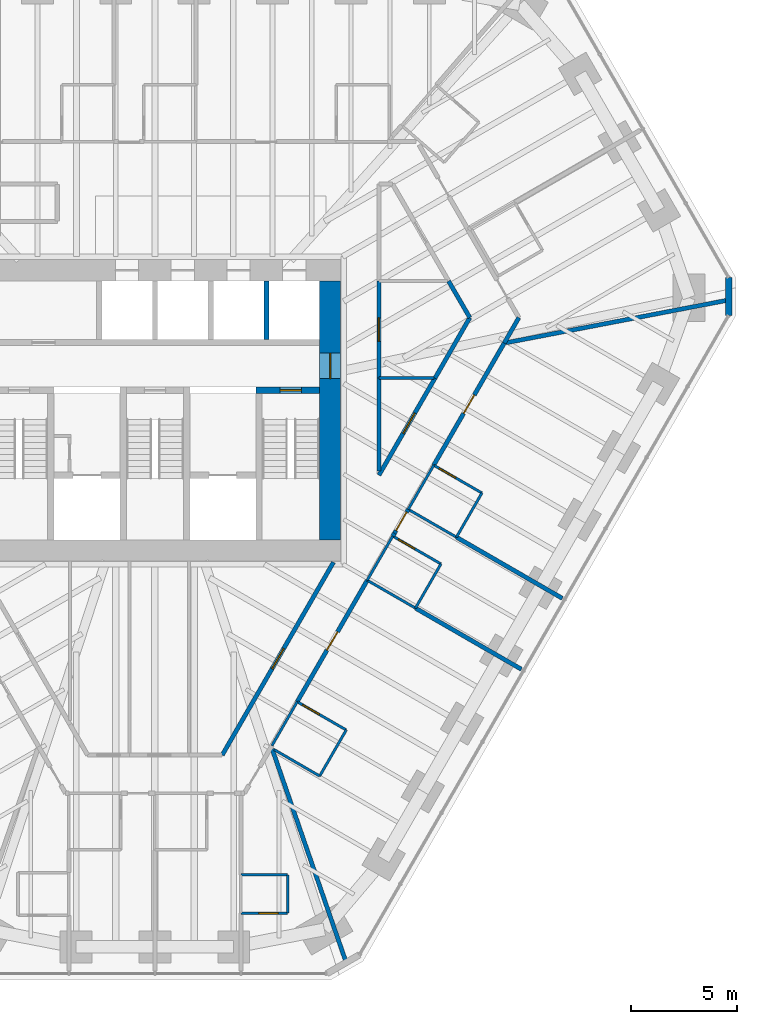
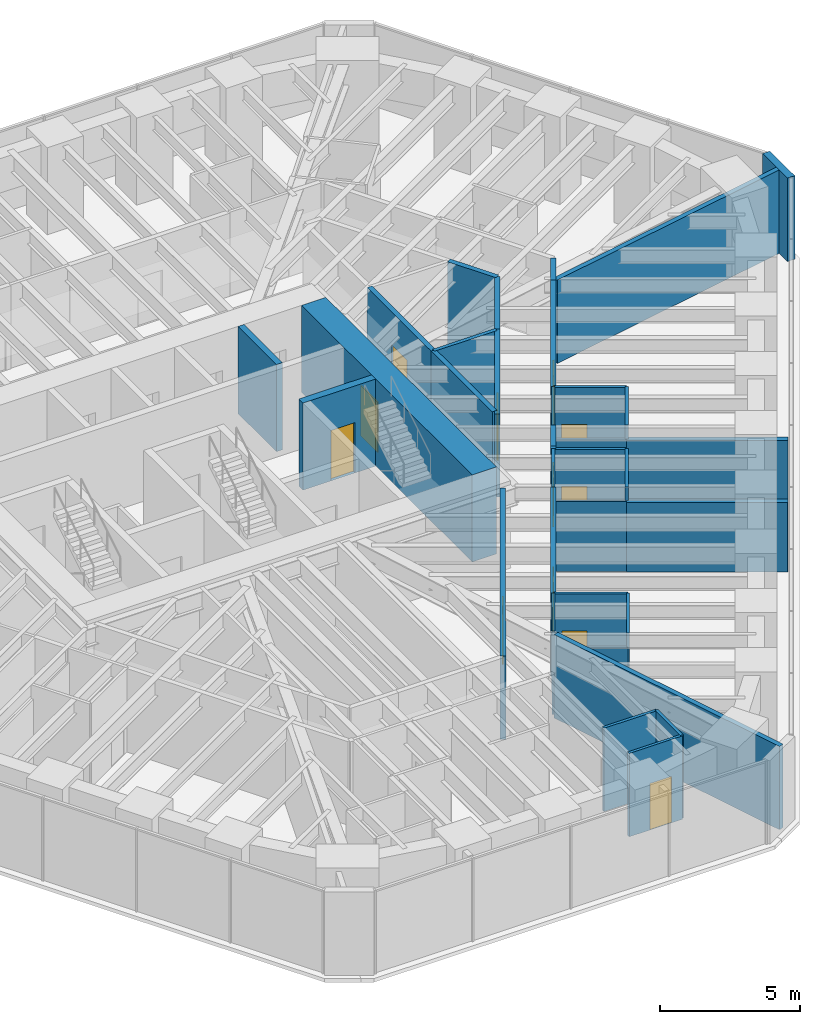
# One storey, part 13 of 16: 35 walls, 12 doors, 12 openings.
"""IFC4 building model written with IfcOpenShell, lengths in metres."""

from ifc_helpers import new_model, si_unit, direction, frame, frame_2d, origin, place, context, subcontext, project, spatial, rectangle, extrude, material, layer, layer_set, type_object, element, fill, save


model = new_model("IFC4")

# Units and contexts
model_context = context("Model", 3, precision=1e-05, world=origin(), true_north=direction((0.0, 1.0)))
body_context = subcontext(model_context, "Body", "Model", "MODEL_VIEW")
ifc_project = project(units=[si_unit("LENGTHUNIT", "METRE"), si_unit("AREAUNIT", "SQUARE_METRE"), si_unit("VOLUMEUNIT", "CUBIC_METRE"), si_unit("PLANEANGLEUNIT", "RADIAN"), si_unit("MASSUNIT", "GRAM", prefix="KILO")], contexts=[model_context])

# Site, building, storey
site_placement = place(None, origin())
site = spatial("IfcSite", under=ifc_project, at=site_placement, CompositionType="ELEMENT")
building_placement = place(site_placement, origin())
building = spatial("IfcBuilding", under=site, at=building_placement, Name="Sandreach Pilgrim Tower", CompositionType="ELEMENT")
storey_placement = place(building_placement, frame((0.0, 0.0, 187.0)))
storey = spatial("IfcBuildingStorey", under=building, at=storey_placement, Name="L46", CompositionType="ELEMENT", Elevation=187.0)

# Wall
ifc_material_1 = material(Name="Gypsum board on steel studs", Category="steel")
ifc_layer_1 = layer(ifc_material_1, 0.14990234375)
ifc_layer_set_1 = layer_set([ifc_layer_1], Name="Back of house wall 150")
wall_type_1 = type_object("IfcWallType", Name="Back of house wall 150", PredefinedType="PARTITIONING", material=ifc_layer_set_1)
wall_1_placement = place(storey_placement, frame((10.550048828125, 1.52001953125, 0.0), z_axis=(0.0, 0.0, 1.0), x_axis=(1.0, 0.0, 0.0)))
element("IfcWall", 1, at=wall_1_placement, inside=storey, type_object=wall_type_1, Name="Back of house wall L46-108", PredefinedType="PARTITIONING", context=body_context, shape_type="SweptSolid", body=[
    extrude(rectangle(XDim=2.5849609375, YDim=0.14990234375, at=frame_2d((1.29248046875, 0.0))), origin(), (0.0, 0.0, 1.0), 3.639892578125),
])

# Wall, opening, door
ifc_material_2 = material(Name="Moisture-resistant gypsum board on steel studs", Category="steel")
ifc_layer_2 = layer(ifc_material_2, 0.1201171875)
ifc_layer_set_2 = layer_set([ifc_layer_2], Name="Bathroom partition 120")
wall_type_2 = type_object("IfcWallType", Name="Bathroom partition 120", PredefinedType="PARTITIONING", material=ifc_layer_set_2)
wall_2_placement = place(storey_placement, frame((4.050048828125, -23.679931640625, 0.0), z_axis=(0.0, 0.0, 1.0), x_axis=(1.0, 0.0, 0.0)))
wall_2 = element("IfcWall", 2, at=wall_2_placement, inside=storey, type_object=wall_type_2, Name="Bathroom partition L46-089", PredefinedType="PARTITIONING", context=body_context, shape_type="SweptSolid", body=[
    extrude(rectangle(XDim=2.199951171875, YDim=0.1201171875, at=frame_2d((1.10009765625, 0.0))), origin(), (0.0, 0.0, 1.0), 3.639892578125),
])
opening_1_placement = place(wall_2_placement, frame((0.85009765625, 0.0, 0.0)))
opening_1 = element("IfcOpeningElement", 3, at=opening_1_placement, cuts=wall_2, Name="Opening D09-09B", PredefinedType="OPENING", context=body_context, shape_type="SweptSolid", body=[
    extrude(rectangle(XDim=0.89990234375, YDim=2.030029296875, at=frame_2d((0.449951171875, 1.01513671875))), frame((0.0, 0.06005859375, 0.0), z_axis=(0.0, -1.0, 0.0), x_axis=(1.0, 0.0, 0.0)), (0.0, 0.0, 1.0), 0.1201171875),
])
ifc_material_3 = material(Name="Timber door, steel frame", Category="steel")
door_type_1 = type_object("IfcDoorType", Name="Bathroom door", OperationType="SINGLE_SWING_LEFT", PredefinedType="DOOR", material=ifc_material_3)
door_1_placement = place(opening_1_placement, origin())
door_1 = element("IfcDoor", 4, at=door_1_placement, inside=storey, type_object=door_type_1, Name="Door 4609B", OperationType="SINGLE_SWING_RIGHT", OverallHeight=2.030029296875, OverallWidth=0.89990234375, PredefinedType="DOOR", context=body_context, shape_type="SweptSolid", body=[
    extrude(rectangle(XDim=0.89990234375, YDim=2.030029296875, at=frame_2d((0.449951171875, 1.01513671875))), frame((0.0, 0.02490234375, 0.0), z_axis=(0.0, -1.0, 0.0), x_axis=(1.0, 0.0, 0.0)), (0.0, 0.0, 1.0), 0.050048828125),
])
fill(opening_1, door_1)

# Walls
wall_3_placement = place(storey_placement, frame((5.510009765625, -15.7900390625, 0.0), z_axis=(0.0, 0.0, 1.0), x_axis=(0.49836161924, 0.866969259241, 0.0)))
element("IfcWall", 5, at=wall_3_placement, inside=storey, type_object=wall_type_2, Name="Bathroom partition L46-093", PredefinedType="PARTITIONING", context=body_context, shape_type="SweptSolid", body=[
    extrude(rectangle(XDim=2.3876953125, YDim=0.1201171875, at=frame_2d((1.19384765625, 0.0))), origin(), (0.0, 0.0, 1.0), 3.639892578125),
])
wall_4_placement = place(storey_placement, frame((5.615234375, -15.97509765625, 0.0), z_axis=(0.0, 0.0, 1.0), x_axis=(0.864873056518, -0.501990633487, 0.0)))
element("IfcWall", 6, at=wall_4_placement, inside=storey, type_object=wall_type_2, Name="Bathroom partition L46-095", PredefinedType="PARTITIONING", context=body_context, shape_type="SweptSolid", body=[
    extrude(rectangle(XDim=2.47998046875, YDim=0.1201171875, at=frame_2d((1.239990234375, 0.0))), origin(), (0.0, 0.0, 1.0), 3.0380859375),
])
wall_5_placement = place(storey_placement, frame((6.25, -23.679931640625, 0.0), z_axis=(0.0, 0.0, 1.0), x_axis=(0.0, 1.0, 0.0)))
element("IfcWall", 7, at=wall_5_placement, inside=storey, type_object=wall_type_2, Name="Bathroom partition L46-096", PredefinedType="PARTITIONING", context=body_context, shape_type="SweptSolid", body=[
    extrude(rectangle(XDim=1.809814453125, YDim=0.1201171875, at=frame_2d((0.90478515625, 0.0))), origin(), (0.0, 0.0, 1.0), 3.639892578125),
])
wall_6_placement = place(storey_placement, frame((6.25, -21.8701171875, 0.0), z_axis=(0.0, 0.0, 1.0), x_axis=(-1.0, 0.0, 0.0)))
element("IfcWall", 8, at=wall_6_placement, inside=storey, type_object=wall_type_2, Name="Bathroom partition L46-097", PredefinedType="PARTITIONING", context=body_context, shape_type="SweptSolid", body=[
    extrude(rectangle(XDim=2.199951171875, YDim=0.1201171875, at=frame_2d((1.10009765625, 0.0))), origin(), (0.0, 0.0, 1.0), 3.639892578125),
])
wall_7_placement = place(storey_placement, frame((7.760009765625, -17.219970703125, 0.0), z_axis=(0.0, 0.0, 1.0), x_axis=(0.499159685399, 0.866510016372, 0.0)))
element("IfcWall", 9, at=wall_7_placement, inside=storey, type_object=wall_type_2, Name="Bathroom partition L46-099", PredefinedType="PARTITIONING", context=body_context, shape_type="SweptSolid", body=[
    extrude(rectangle(XDim=2.504150390625, YDim=0.1201171875, at=frame_2d((1.251953125, 0.0))), origin(), (0.0, 0.0, 1.0), 3.639892578125),
])

# Wall, opening, door
wall_8_placement = place(storey_placement, frame((9.010009765625, -15.050048828125, 0.0), z_axis=(0.0, 0.0, 1.0), x_axis=(-0.866615255992, 0.498976951453, 0.0)))
wall_8 = element("IfcWall", 10, at=wall_8_placement, inside=storey, type_object=wall_type_2, Name="Bathroom partition L46-103", PredefinedType="PARTITIONING", context=body_context, shape_type="SweptSolid", body=[
    extrude(rectangle(XDim=2.66552734375, YDim=0.1201171875, at=frame_2d((1.332763671875, 0.0))), origin(), (0.0, 0.0, 1.0), 3.639892578125),
])
opening_2_placement = place(wall_8_placement, frame((1.465576171875, 0.0, 0.0)))
opening_2 = element("IfcOpeningElement", 11, at=opening_2_placement, cuts=wall_8, Name="Opening D09-08B", PredefinedType="OPENING", context=body_context, shape_type="SweptSolid", body=[
    extrude(rectangle(XDim=0.89990234375, YDim=2.030029296875, at=frame_2d((0.449951171875, 1.01513671875))), frame((0.0, 0.06005859375, 0.0), z_axis=(0.0, -1.0, 0.0), x_axis=(1.0, 0.0, 0.0)), (0.0, 0.0, 1.0), 0.1201171875),
])
door_2_placement = place(opening_2_placement, origin())
door_2 = element("IfcDoor", 12, at=door_2_placement, inside=storey, type_object=door_type_1, Name="Door 4608B", OperationType="SINGLE_SWING_RIGHT", OverallHeight=2.030029296875, OverallWidth=0.89990234375, PredefinedType="DOOR", context=body_context, shape_type="SweptSolid", body=[
    extrude(rectangle(XDim=0.89990234375, YDim=2.030029296875, at=frame_2d((0.449951171875, 1.01513671875))), frame((0.0, 0.02490234375, 0.0), z_axis=(0.0, -1.0, 0.0), x_axis=(1.0, 0.0, 0.0)), (0.0, 0.0, 1.0), 0.050048828125),
])
fill(opening_2, door_2)

# Walls
wall_9_placement = place(storey_placement, frame((9.996337890625, -7.998046875, 0.0), z_axis=(0.0, 0.0, 1.0), x_axis=(0.501188543314, 0.865338109672, 0.0)))
element("IfcWall", 13, at=wall_9_placement, inside=storey, type_object=wall_type_2, Name="Bathroom partition L46-104", PredefinedType="PARTITIONING", context=body_context, shape_type="SweptSolid", body=[
    extrude(rectangle(XDim=2.401611328125, YDim=0.1201171875, at=frame_2d((1.20068359375, 0.0))), origin(), (0.0, 0.0, 1.0), 3.639892578125),
])
wall_10_placement = place(storey_placement, frame((10.0, -8.0, 0.0), z_axis=(0.0, 0.0, 1.0), x_axis=(0.866010296064, -0.500026166427, 0.0)))
element("IfcWall", 14, at=wall_10_placement, inside=storey, type_object=wall_type_2, Name="Bathroom partition L46-105", PredefinedType="PARTITIONING", context=body_context, shape_type="SweptSolid", body=[
    extrude(rectangle(XDim=2.620849609375, YDim=0.1201171875, at=frame_2d((1.310546875, 0.0))), origin(), (0.0, 0.0, 1.0), 3.0380859375),
])
wall_11_placement = place(storey_placement, frame((11.929931640625, -4.659912109375, 0.0), z_axis=(0.0, 0.0, 1.0), x_axis=(0.499737123639, 0.866177122335, 0.0)))
element("IfcWall", 15, at=wall_11_placement, inside=storey, type_object=wall_type_2, Name="Bathroom partition L46-121", PredefinedType="PARTITIONING", context=body_context, shape_type="SweptSolid", body=[
    extrude(rectangle(XDim=2.401123046875, YDim=0.1201171875, at=frame_2d((1.20068359375, 0.0))), origin(), (0.0, 0.0, 1.0), 3.639892578125),
])
wall_12_placement = place(storey_placement, frame((11.929931640625, -4.659912109375, 0.0), z_axis=(0.0, 0.0, 1.0), x_axis=(0.865969958829, -0.500096021185, 0.0)))
element("IfcWall", 16, at=wall_12_placement, inside=storey, type_object=wall_type_2, Name="Bathroom partition L46-122", PredefinedType="PARTITIONING", context=body_context, shape_type="SweptSolid", body=[
    extrude(rectangle(XDim=2.62109375, YDim=0.1201171875, at=frame_2d((1.310546875, 0.0))), origin(), (0.0, 0.0, 1.0), 3.0380859375),
])
wall_13_placement = place(storey_placement, frame((12.27001953125, -9.31005859375, 0.0), z_axis=(0.0, 0.0, 1.0), x_axis=(0.499693115345, 0.866202511239, 0.0)))
element("IfcWall", 17, at=wall_13_placement, inside=storey, type_object=wall_type_2, Name="Bathroom partition L46-124", PredefinedType="PARTITIONING", context=body_context, shape_type="SweptSolid", body=[
    extrude(rectangle(XDim=2.4013671875, YDim=0.1201171875, at=frame_2d((1.20068359375, 0.0))), origin(), (0.0, 0.0, 1.0), 3.639892578125),
])

# Wall, opening, door
wall_14_placement = place(storey_placement, frame((13.469970703125, -7.22998046875, 0.0), z_axis=(0.0, 0.0, 1.0), x_axis=(-0.866114241029, 0.499846097802, 0.0)))
wall_14 = element("IfcWall", 18, at=wall_14_placement, inside=storey, type_object=wall_type_2, Name="Bathroom partition L46-129", PredefinedType="PARTITIONING", context=body_context, shape_type="SweptSolid", body=[
    extrude(rectangle(XDim=2.620849609375, YDim=0.1201171875, at=frame_2d((1.310546875, 0.0))), origin(), (0.0, 0.0, 1.0), 3.639892578125),
])
opening_3_placement = place(wall_14_placement, frame((1.4208984375, 0.0, 0.0)))
opening_3 = element("IfcOpeningElement", 19, at=opening_3_placement, cuts=wall_14, Name="Opening D09-07B", PredefinedType="OPENING", context=body_context, shape_type="SweptSolid", body=[
    extrude(rectangle(XDim=0.89990234375, YDim=2.030029296875, at=frame_2d((0.449951171875, 1.01513671875))), frame((0.0, 0.06005859375, 0.0), z_axis=(0.0, -1.0, 0.0), x_axis=(1.0, 0.0, 0.0)), (0.0, 0.0, 1.0), 0.1201171875),
])
door_3_placement = place(opening_3_placement, origin())
door_3 = element("IfcDoor", 20, at=door_3_placement, inside=storey, type_object=door_type_1, Name="Door 4607B", OperationType="SINGLE_SWING_RIGHT", OverallHeight=2.030029296875, OverallWidth=0.89990234375, PredefinedType="DOOR", context=body_context, shape_type="SweptSolid", body=[
    extrude(rectangle(XDim=0.89990234375, YDim=2.030029296875, at=frame_2d((0.449951171875, 1.01513671875))), frame((0.0, 0.02490234375, 0.0), z_axis=(0.0, -1.0, 0.0), x_axis=(1.0, 0.0, 0.0)), (0.0, 0.0, 1.0), 0.050048828125),
])
fill(opening_3, door_3)

# Wall
wall_15_placement = place(storey_placement, frame((14.199951171875, -5.969970703125, 0.0), z_axis=(0.0, 0.0, 1.0), x_axis=(0.499737123639, 0.866177122335, 0.0)))
element("IfcWall", 21, at=wall_15_placement, inside=storey, type_object=wall_type_2, Name="Bathroom partition L46-134", PredefinedType="PARTITIONING", context=body_context, shape_type="SweptSolid", body=[
    extrude(rectangle(XDim=2.401123046875, YDim=0.1201171875, at=frame_2d((1.20068359375, 0.0))), origin(), (0.0, 0.0, 1.0), 3.639892578125),
])

# Wall, opening, door
wall_16_placement = place(storey_placement, frame((15.39990234375, -3.889892578125, 0.0), z_axis=(0.0, 0.0, 1.0), x_axis=(-0.866154567199, 0.49977621564, 0.0)))
wall_16 = element("IfcWall", 22, at=wall_16_placement, inside=storey, type_object=wall_type_2, Name="Bathroom partition L46-140", PredefinedType="PARTITIONING", context=body_context, shape_type="SweptSolid", body=[
    extrude(rectangle(XDim=2.620849609375, YDim=0.1201171875, at=frame_2d((1.310546875, 0.0))), origin(), (0.0, 0.0, 1.0), 3.639892578125),
])
opening_4_placement = place(wall_16_placement, frame((1.4208984375, 0.0, 0.0)))
opening_4 = element("IfcOpeningElement", 23, at=opening_4_placement, cuts=wall_16, Name="Opening D09-06B", PredefinedType="OPENING", context=body_context, shape_type="SweptSolid", body=[
    extrude(rectangle(XDim=0.89990234375, YDim=2.030029296875, at=frame_2d((0.449951171875, 1.01513671875))), frame((0.0, 0.06005859375, 0.0), z_axis=(0.0, -1.0, 0.0), x_axis=(1.0, 0.0, 0.0)), (0.0, 0.0, 1.0), 0.1201171875),
])
door_4_placement = place(opening_4_placement, origin())
door_4 = element("IfcDoor", 24, at=door_4_placement, inside=storey, type_object=door_type_1, Name="Door 4606B", OperationType="SINGLE_SWING_RIGHT", OverallHeight=2.030029296875, OverallWidth=0.89990234375, PredefinedType="DOOR", context=body_context, shape_type="SweptSolid", body=[
    extrude(rectangle(XDim=0.89990234375, YDim=2.030029296875, at=frame_2d((0.449951171875, 1.01513671875))), frame((0.0, 0.02490234375, 0.0), z_axis=(0.0, -1.0, 0.0), x_axis=(1.0, 0.0, 0.0)), (0.0, 0.0, 1.0), 0.050048828125),
])
fill(opening_4, door_4)

ifc_material_4 = material(Name="Concrete 10000 psi", Category="concrete")
ifc_layer_3 = layer(ifc_material_4, 0.300048828125)
ifc_layer_set_3 = layer_set([ifc_layer_3], Name="Core inner wall 300")
wall_type_3 = type_object("IfcWallType", Name="Core inner wall 300", PredefinedType="SHEAR", material=ifc_layer_set_3)
wall_17_placement = place(storey_placement, frame((4.75, 0.949951171875, 0.0), z_axis=(0.0, 0.0, 1.0), x_axis=(1.0, 0.0, 0.0)))
wall_17 = element("IfcWall", 25, at=wall_17_placement, inside=storey, type_object=wall_type_3, Name="Core wall SN2 L46", PredefinedType="SHEAR", context=body_context, shape_type="SweptSolid", body=[
    extrude(rectangle(XDim=3.0, YDim=0.300048828125, at=frame_2d((1.5, 0.0))), origin(), (0.0, 0.0, 1.0), 3.800048828125),
])
opening_5_placement = place(wall_17_placement, frame((1.14990234375, 0.0, 0.0)))
opening_5 = element("IfcOpeningElement", 26, at=opening_5_placement, cuts=wall_17, Name="Opening D10S-ST2", PredefinedType="OPENING", context=body_context, shape_type="SweptSolid", body=[
    extrude(rectangle(XDim=1.0, YDim=2.199951171875, at=frame_2d((0.5, 1.10009765625))), frame((0.0, 0.14990234375, 0.0), z_axis=(0.0, -1.0, 0.0), x_axis=(1.0, 0.0, 0.0)), (0.0, 0.0, 1.0), 0.300048828125),
])
ifc_material_5 = material(Name="Steel door and frame", Category="steel")
door_type_2 = type_object("IfcDoorType", Name="Stair door", OperationType="SINGLE_SWING_LEFT", PredefinedType="DOOR", material=ifc_material_5)
door_5_placement = place(opening_5_placement, origin())
door_5 = element("IfcDoor", 27, at=door_5_placement, inside=storey, type_object=door_type_2, Name="Stair door ST2 L46", OperationType="SINGLE_SWING_RIGHT", OverallHeight=2.199951171875, OverallWidth=1.0, PredefinedType="DOOR", context=body_context, shape_type="SweptSolid", body=[
    extrude(rectangle(XDim=1.0, YDim=2.199951171875, at=frame_2d((0.5, 1.10009765625))), frame((0.0, 0.02490234375, 0.0), z_axis=(0.0, -1.0, 0.0), x_axis=(1.0, 0.0, 0.0)), (0.0, 0.0, 1.0), 0.050048828125),
])
fill(opening_5, door_5)

ifc_material_6 = material(Name="Concrete 10000 psi", Category="concrete")
ifc_layer_4 = layer(ifc_material_6, 1.0)
ifc_layer_set_4 = layer_set([ifc_layer_4], Name="Core wall 1000")
wall_type_4 = type_object("IfcWallType", Name="Core wall 1000", PredefinedType="SHEAR", material=ifc_layer_set_4)
wall_18_placement = place(storey_placement, frame((8.25, -6.10009765625, 0.0), z_axis=(0.0, 0.0, 1.0), x_axis=(0.0, 1.0, 0.0)))
wall_18 = element("IfcWall", 28, at=wall_18_placement, inside=storey, type_object=wall_type_4, Name="Core wall E L46", PredefinedType="SHEAR", context=body_context, shape_type="SweptSolid", body=[
    extrude(rectangle(XDim=12.2001953125, YDim=1.0, at=frame_2d((6.10009765625, 0.0))), origin(), (0.0, 0.0, 1.0), 3.800048828125),
])
opening_6_placement = place(wall_18_placement, frame((7.60009765625, 0.0, 0.0)))
opening_6 = element("IfcOpeningElement", 29, at=opening_6_placement, cuts=wall_18, Name="Opening D12F-E", PredefinedType="OPENING", context=body_context, shape_type="SweptSolid", body=[
    extrude(rectangle(XDim=1.199951171875, YDim=2.199951171875, at=frame_2d((0.60009765625, 1.10009765625))), frame((0.0, 0.5, 0.0), z_axis=(0.0, -1.0, 0.0), x_axis=(1.0, 0.0, 0.0)), (0.0, 0.0, 1.0), 1.0),
])
ifc_material_7 = material(Name="Steel door and frame", Category="steel")
door_type_3 = type_object("IfcDoorType", Name="Fire lobby door", OperationType="SINGLE_SWING_LEFT", PredefinedType="DOOR", material=ifc_material_7)
door_6_placement = place(opening_6_placement, origin())
door_6 = element("IfcDoor", 30, at=door_6_placement, inside=storey, type_object=door_type_3, Name="Fire service lobby door E L46", OperationType="SINGLE_SWING_RIGHT", OverallHeight=2.199951171875, OverallWidth=1.199951171875, PredefinedType="DOOR", context=body_context, shape_type="SweptSolid", body=[
    extrude(rectangle(XDim=1.199951171875, YDim=2.199951171875, at=frame_2d((0.60009765625, 1.10009765625))), frame((0.0, 0.02490234375, 0.0), z_axis=(0.0, -1.0, 0.0), x_axis=(1.0, 0.0, 0.0)), (0.0, 0.0, 1.0), 0.050048828125),
])
fill(opening_6, door_6)

ifc_material_8 = material(Name="Gypsum board on steel studs, two layers each side", Category="steel")
ifc_layer_5 = layer(ifc_material_8, 0.199951171875)
ifc_layer_set_5 = layer_set([ifc_layer_5], Name="Corridor wall 200")
wall_type_5 = type_object("IfcWallType", Name="Corridor wall 200", PredefinedType="PARTITIONING", material=ifc_layer_set_5)
wall_19_placement = place(storey_placement, frame((6.699951171875, -13.719970703125, 0.0), z_axis=(0.0, 0.0, 1.0), x_axis=(0.499729921425, 0.866181277581, 0.0)))
wall_19 = element("IfcWall", 31, at=wall_19_placement, inside=storey, type_object=wall_type_5, Name="Corridor wall L46-098", PredefinedType="PARTITIONING", context=body_context, shape_type="SweptSolid", body=[
    extrude(rectangle(XDim=6.603759765625, YDim=0.199951171875, at=frame_2d((3.3017578125, 0.0))), origin(), (0.0, 0.0, 1.0), 3.639892578125),
])
opening_7_placement = place(wall_19_placement, frame((2.8017578125, 0.0, 0.0)))
opening_7 = element("IfcOpeningElement", 32, at=opening_7_placement, cuts=wall_19, Name="Opening D10-08", PredefinedType="OPENING", context=body_context, shape_type="SweptSolid", body=[
    extrude(rectangle(XDim=1.0, YDim=2.1298828125, at=frame_2d((0.5, 1.06494140625))), frame((0.0, 0.10009765625, 0.0), z_axis=(0.0, -1.0, 0.0), x_axis=(1.0, 0.0, 0.0)), (0.0, 0.0, 1.0), 0.199951171875),
])
ifc_material_9 = material(Name="Steel door and frame", Category="steel")
door_type_4 = type_object("IfcDoorType", Name="Guest room entry door", OperationType="SINGLE_SWING_LEFT", PredefinedType="DOOR", material=ifc_material_9)
door_7_placement = place(opening_7_placement, origin())
door_7 = element("IfcDoor", 33, at=door_7_placement, inside=storey, type_object=door_type_4, Name="Door 4608", OperationType="SINGLE_SWING_LEFT", OverallHeight=2.1298828125, OverallWidth=1.0, PredefinedType="DOOR", context=body_context, shape_type="SweptSolid", body=[
    extrude(rectangle(XDim=1.0, YDim=2.1298828125, at=frame_2d((0.5, 1.06494140625))), frame((0.0, 0.02490234375, 0.0), z_axis=(0.0, -1.0, 0.0), x_axis=(1.0, 0.0, 0.0)), (0.0, 0.0, 1.0), 0.050048828125),
])
fill(opening_7, door_7)

wall_20_placement = place(storey_placement, frame((8.409912109375, -7.14990234375, 0.0), z_axis=(0.0, 0.0, 1.0), x_axis=(-0.499828628176, -0.866124322748, 0.0)))
wall_20 = element("IfcWall", 34, at=wall_20_placement, inside=storey, type_object=wall_type_5, Name="Corridor wall L46-100", PredefinedType="PARTITIONING", context=body_context, shape_type="SweptSolid", body=[
    extrude(rectangle(XDim=10.483642578125, YDim=0.199951171875, at=frame_2d((5.24169921875, 0.0))), origin(), (0.0, 0.0, 1.0), 3.639892578125),
])
opening_8_placement = place(wall_20_placement, frame((4.691650390625, 0.0, 0.0)))
opening_8 = element("IfcOpeningElement", 35, at=opening_8_placement, cuts=wall_20, Name="Opening D11H-S4", PredefinedType="OPENING", context=body_context, shape_type="SweptSolid", body=[
    extrude(rectangle(XDim=1.10009765625, YDim=2.199951171875, at=frame_2d((0.550048828125, 1.10009765625))), frame((0.0, 0.10009765625, 0.0), z_axis=(0.0, -1.0, 0.0), x_axis=(1.0, 0.0, 0.0)), (0.0, 0.0, 1.0), 0.199951171875),
])
ifc_material_10 = material(Name="Steel door and frame", Category="steel")
door_type_5 = type_object("IfcDoorType", Name="Back of house door", OperationType="SINGLE_SWING_LEFT", PredefinedType="DOOR", material=ifc_material_10)
door_8_placement = place(opening_8_placement, origin())
door_8 = element("IfcDoor", 36, at=door_8_placement, inside=storey, type_object=door_type_5, Name="Door 46S4", OperationType="SINGLE_SWING_LEFT", OverallHeight=2.199951171875, OverallWidth=1.10009765625, PredefinedType="DOOR", context=body_context, shape_type="SweptSolid", body=[
    extrude(rectangle(XDim=1.10009765625, YDim=2.199951171875, at=frame_2d((0.550048828125, 1.10009765625))), frame((0.0, 0.02490234375, 0.0), z_axis=(0.0, -1.0, 0.0), x_axis=(1.0, 0.0, 0.0)), (0.0, 0.0, 1.0), 0.050048828125),
])
fill(opening_8, door_8)

# Wall
wall_21_placement = place(storey_placement, frame((10.550048828125, -2.85498046875, 0.0), z_axis=(0.0, 0.0, 1.0), x_axis=(0.0, 1.0, 0.0)))
element("IfcWall", 37, at=wall_21_placement, inside=storey, type_object=wall_type_5, Name="Corridor wall L46-106", PredefinedType="PARTITIONING", context=body_context, shape_type="SweptSolid", body=[
    extrude(rectangle(XDim=4.375, YDim=0.199951171875, at=frame_2d((2.1875, 0.0))), origin(), (0.0, 0.0, 1.0), 3.639892578125),
])

# Wall, opening, door
wall_22_placement = place(storey_placement, frame((10.550048828125, 1.52001953125, 0.0), z_axis=(0.0, 0.0, 1.0), x_axis=(0.0, 1.0, 0.0)))
wall_22 = element("IfcWall", 38, at=wall_22_placement, inside=storey, type_object=wall_type_5, Name="Corridor wall L46-107", PredefinedType="PARTITIONING", context=body_context, shape_type="SweptSolid", body=[
    extrude(rectangle(XDim=4.570068359375, YDim=0.199951171875, at=frame_2d((2.28515625, 0.0))), origin(), (0.0, 0.0, 1.0), 3.639892578125),
])
opening_9_placement = place(wall_22_placement, frame((1.735107421875, 0.0, 0.0)))
opening_9 = element("IfcOpeningElement", 39, at=opening_9_placement, cuts=wall_22, Name="Opening D11H-M06", PredefinedType="OPENING", context=body_context, shape_type="SweptSolid", body=[
    extrude(rectangle(XDim=1.10009765625, YDim=2.199951171875, at=frame_2d((0.550048828125, 1.10009765625))), frame((0.0, 0.10009765625, 0.0), z_axis=(0.0, -1.0, 0.0), x_axis=(1.0, 0.0, 0.0)), (0.0, 0.0, 1.0), 0.199951171875),
])
door_9_placement = place(opening_9_placement, origin())
door_9 = element("IfcDoor", 40, at=door_9_placement, inside=storey, type_object=door_type_5, Name="Door 46M06", OperationType="SINGLE_SWING_LEFT", OverallHeight=2.199951171875, OverallWidth=1.10009765625, PredefinedType="DOOR", context=body_context, shape_type="SweptSolid", body=[
    extrude(rectangle(XDim=1.10009765625, YDim=2.199951171875, at=frame_2d((0.550048828125, 1.10009765625))), frame((0.0, 0.02490234375, 0.0), z_axis=(0.0, -1.0, 0.0), x_axis=(1.0, 0.0, 0.0)), (0.0, 0.0, 1.0), 0.050048828125),
])
fill(opening_9, door_9)

# Wall
wall_23_placement = place(storey_placement, frame((11.199951171875, -5.919921875, 0.0), z_axis=(0.0, 0.0, 1.0), x_axis=(0.524811420021, 0.851218522717, 0.0)))
element("IfcWall", 41, at=wall_23_placement, inside=storey, type_object=wall_type_5, Name="Corridor wall L46-117", PredefinedType="PARTITIONING", context=body_context, shape_type="SweptSolid", body=[
    extrude(rectangle(XDim=0.152587890625, YDim=0.199951171875, at=frame_2d((0.076171875, 0.0))), origin(), (0.0, 0.0, 1.0), 3.639892578125),
])

# Wall, opening, door
wall_24_placement = place(storey_placement, frame((11.280029296875, -5.7900390625, 0.0), z_axis=(0.0, 0.0, 1.0), x_axis=(0.498516863914, 0.866880001149, 0.0)))
wall_24 = element("IfcWall", 42, at=wall_24_placement, inside=storey, type_object=wall_type_5, Name="Corridor wall L46-118", PredefinedType="PARTITIONING", context=body_context, shape_type="SweptSolid", body=[
    extrude(rectangle(XDim=1.3037109375, YDim=0.199951171875, at=frame_2d((0.65185546875, 0.0))), origin(), (0.0, 0.0, 1.0), 3.639892578125),
])
opening_10_placement = place(wall_24_placement, frame((0.15185546875, 0.0, 0.0)))
opening_10 = element("IfcOpeningElement", 43, at=opening_10_placement, cuts=wall_24, Name="Opening D10-07", PredefinedType="OPENING", context=body_context, shape_type="SweptSolid", body=[
    extrude(rectangle(XDim=1.0, YDim=2.1298828125, at=frame_2d((0.5, 1.06494140625))), frame((0.0, 0.10009765625, 0.0), z_axis=(0.0, -1.0, 0.0), x_axis=(1.0, 0.0, 0.0)), (0.0, 0.0, 1.0), 0.199951171875),
])
door_10_placement = place(opening_10_placement, origin())
door_10 = element("IfcDoor", 44, at=door_10_placement, inside=storey, type_object=door_type_4, Name="Door 4607", OperationType="SINGLE_SWING_LEFT", OverallHeight=2.1298828125, OverallWidth=1.0, PredefinedType="DOOR", context=body_context, shape_type="SweptSolid", body=[
    extrude(rectangle(XDim=1.0, YDim=2.1298828125, at=frame_2d((0.5, 1.06494140625))), frame((0.0, 0.02490234375, 0.0), z_axis=(0.0, -1.0, 0.0), x_axis=(1.0, 0.0, 0.0)), (0.0, 0.0, 1.0), 0.050048828125),
])
fill(opening_10, door_10)

wall_25_placement = place(storey_placement, frame((13.1298828125, -2.580078125, 0.0), z_axis=(0.0, 0.0, 1.0), x_axis=(0.500034373799, 0.866005557153, 0.0)))
wall_25 = element("IfcWall", 45, at=wall_25_placement, inside=storey, type_object=wall_type_5, Name="Corridor wall L46-127", PredefinedType="PARTITIONING", context=body_context, shape_type="SweptSolid", body=[
    extrude(rectangle(XDim=6.6396484375, YDim=0.199951171875, at=frame_2d((3.31982421875, 0.0))), origin(), (0.0, 0.0, 1.0), 3.639892578125),
])
opening_11_placement = place(wall_25_placement, frame((2.81982421875, 0.0, 0.0)))
opening_11 = element("IfcOpeningElement", 46, at=opening_11_placement, cuts=wall_25, Name="Opening D10-06", PredefinedType="OPENING", context=body_context, shape_type="SweptSolid", body=[
    extrude(rectangle(XDim=1.0, YDim=2.1298828125, at=frame_2d((0.5, 1.06494140625))), frame((0.0, 0.10009765625, 0.0), z_axis=(0.0, -1.0, 0.0), x_axis=(1.0, 0.0, 0.0)), (0.0, 0.0, 1.0), 0.199951171875),
])
door_11_placement = place(opening_11_placement, origin())
door_11 = element("IfcDoor", 47, at=door_11_placement, inside=storey, type_object=door_type_4, Name="Door 4606", OperationType="SINGLE_SWING_LEFT", OverallHeight=2.1298828125, OverallWidth=1.0, PredefinedType="DOOR", context=body_context, shape_type="SweptSolid", body=[
    extrude(rectangle(XDim=1.0, YDim=2.1298828125, at=frame_2d((0.5, 1.06494140625))), frame((0.0, 0.02490234375, 0.0), z_axis=(0.0, -1.0, 0.0), x_axis=(1.0, 0.0, 0.0)), (0.0, 0.0, 1.0), 0.050048828125),
])
fill(opening_11, door_11)

wall_26_placement = place(storey_placement, frame((13.18994140625, 1.52001953125, 0.0), z_axis=(0.0, 0.0, 1.0), x_axis=(-0.500193590286, -0.865913605527, 0.0)))
wall_26 = element("IfcWall", 48, at=wall_26_placement, inside=storey, type_object=wall_type_5, Name="Corridor wall L46-128", PredefinedType="PARTITIONING", context=body_context, shape_type="SweptSolid", body=[
    extrude(rectangle(XDim=5.27783203125, YDim=0.199951171875, at=frame_2d((2.638916015625, 0.0))), origin(), (0.0, 0.0, 1.0), 3.639892578125),
])
opening_12_placement = place(wall_26_placement, frame((1.89990234375, 0.0, 0.0)))
opening_12 = element("IfcOpeningElement", 49, at=opening_12_placement, cuts=wall_26, Name="Opening D11H-M04", PredefinedType="OPENING", context=body_context, shape_type="SweptSolid", body=[
    extrude(rectangle(XDim=1.10009765625, YDim=2.199951171875, at=frame_2d((0.550048828125, 1.10009765625))), frame((0.0, 0.10009765625, 0.0), z_axis=(0.0, -1.0, 0.0), x_axis=(1.0, 0.0, 0.0)), (0.0, 0.0, 1.0), 0.199951171875),
])
door_12_placement = place(opening_12_placement, origin())
door_12 = element("IfcDoor", 50, at=door_12_placement, inside=storey, type_object=door_type_5, Name="Door 46M04", OperationType="SINGLE_SWING_LEFT", OverallHeight=2.199951171875, OverallWidth=1.10009765625, PredefinedType="DOOR", context=body_context, shape_type="SweptSolid", body=[
    extrude(rectangle(XDim=1.10009765625, YDim=2.199951171875, at=frame_2d((0.550048828125, 1.10009765625))), frame((0.0, 0.02490234375, 0.0), z_axis=(0.0, -1.0, 0.0), x_axis=(1.0, 0.0, 0.0)), (0.0, 0.0, 1.0), 0.050048828125),
])
fill(opening_12, door_12)

# Walls
wall_27_placement = place(storey_placement, frame((13.830078125, 6.090087890625, 0.0), z_axis=(0.0, 0.0, 1.0), x_axis=(0.502573539539, -0.864534462792, 0.0)))
element("IfcWall", 51, at=wall_27_placement, inside=storey, type_object=wall_type_5, Name="Corridor wall L46-132", PredefinedType="PARTITIONING", context=body_context, shape_type="SweptSolid", body=[
    extrude(rectangle(XDim=1.98974609375, YDim=0.199951171875, at=frame_2d((0.994873046875, 0.0))), origin(), (0.0, 0.0, 1.0), 3.639892578125),
])
wall_28_placement = place(storey_placement, frame((14.830078125, 4.3701171875, 0.0), z_axis=(0.0, 0.0, 1.0), x_axis=(-0.498775186059, -0.866731396554, 0.0)))
element("IfcWall", 52, at=wall_28_placement, inside=storey, type_object=wall_type_5, Name="Corridor wall L46-136", PredefinedType="PARTITIONING", context=body_context, shape_type="SweptSolid", body=[
    extrude(rectangle(XDim=3.288330078125, YDim=0.199951171875, at=frame_2d((1.64404296875, 0.0))), origin(), (0.0, 0.0, 1.0), 3.639892578125),
])
wall_29_placement = place(storey_placement, frame((16.449951171875, 3.169921875, 0.0), z_axis=(0.0, 0.0, 1.0), x_axis=(0.49845455473, 0.866915830325, 0.0)))
element("IfcWall", 53, at=wall_29_placement, inside=storey, type_object=wall_type_5, Name="Corridor wall L46-142", PredefinedType="PARTITIONING", context=body_context, shape_type="SweptSolid", body=[
    extrude(rectangle(XDim=1.38427734375, YDim=0.199951171875, at=frame_2d((0.692138671875, 0.0))), origin(), (0.0, 0.0, 1.0), 3.639892578125),
])
ifc_material_11 = material(Name="Double steel stud acoustic wall, gypsum board", Category="steel")
ifc_layer_6 = layer(ifc_material_11, 0.199951171875)
ifc_layer_set_6 = layer_set([ifc_layer_6], Name="Party wall 200")
wall_type_6 = type_object("IfcWallType", Name="Party wall 200", PredefinedType="PARTITIONING", material=ifc_layer_set_6)
wall_30_placement = place(storey_placement, frame((5.52197265625, -15.950927734375, 0.0), z_axis=(0.0, 0.0, 1.0), x_axis=(0.327588517074, -0.944820492729, 0.0)))
element("IfcWall", 54, at=wall_30_placement, inside=storey, type_object=wall_type_6, Name="Party wall L46-094", PredefinedType="PARTITIONING", context=body_context, shape_type="SweptSolid", body=[
    extrude(rectangle(XDim=10.6484375, YDim=0.199951171875, at=frame_2d((5.32421875, 0.0))), origin(), (0.0, 0.0, 1.0), 3.639892578125),
])
wall_31_placement = place(storey_placement, frame((12.269775390625, -9.310546875, 0.0), z_axis=(0.0, 0.0, 1.0), x_axis=(0.865985044037, -0.500069898618, 0.0)))
element("IfcWall", 55, at=wall_31_placement, inside=storey, type_object=wall_type_6, Name="Party wall L46-123", PredefinedType="PARTITIONING", context=body_context, shape_type="SweptSolid", body=[
    extrude(rectangle(XDim=5.758056640625, YDim=0.199951171875, at=frame_2d((2.87890625, 0.0))), origin(), (0.0, 0.0, 1.0), 3.0380859375),
])
wall_32_placement = place(storey_placement, frame((14.19970703125, -5.970703125, 0.0), z_axis=(0.0, 0.0, 1.0), x_axis=(0.86600340545, -0.500038100297, 0.0)))
element("IfcWall", 56, at=wall_32_placement, inside=storey, type_object=wall_type_6, Name="Party wall L46-133", PredefinedType="PARTITIONING", context=body_context, shape_type="SweptSolid", body=[
    extrude(rectangle(XDim=5.7578125, YDim=0.199951171875, at=frame_2d((2.87890625, 0.0))), origin(), (0.0, 0.0, 1.0), 3.0380859375),
])
wall_33_placement = place(storey_placement, frame((27.04052734375, 5.204345703125, 0.0), z_axis=(0.0, 0.0, 1.0), x_axis=(-0.982047984466, -0.188631270488, 0.0)))
element("IfcWall", 57, at=wall_33_placement, inside=storey, type_object=wall_type_6, Name="Party wall L46-147", PredefinedType="PARTITIONING", context=body_context, shape_type="SweptSolid", body=[
    extrude(rectangle(XDim=10.684326171875, YDim=0.199951171875, at=frame_2d((5.34228515625, 0.0))), origin(), (0.0, 0.0, 1.0), 3.639892578125),
])
ifc_material_12 = material(Name="Gypsum shaft wall on steel studs, two layers of shaft liner board", Category="steel")
ifc_layer_7 = layer(ifc_material_12, 0.25)
ifc_layer_set_7 = layer_set([ifc_layer_7], Name="Shaft partition 250")
wall_type_7 = type_object("IfcWallType", Name="Shaft partition 250", PredefinedType="PARTITIONING", material=ifc_layer_set_7)
wall_34_placement = place(storey_placement, frame((5.25, 3.35009765625, 0.0), z_axis=(0.0, 0.0, 1.0), x_axis=(0.0, 1.0, 0.0)))
element("IfcWall", 58, at=wall_34_placement, inside=storey, type_object=wall_type_7, Name="Shaft partition NS4 L46", PredefinedType="PARTITIONING", context=body_context, shape_type="SweptSolid", body=[
    extrude(rectangle(XDim=2.75, YDim=0.25, at=frame_2d((1.375, 0.0))), origin(), (0.0, 0.0, 1.0), 3.800048828125),
])
ifc_material_13 = material(Name="Terracotta rainscreen on concrete", Category="masonry")
ifc_layer_8 = layer(ifc_material_13, 0.300048828125)
ifc_layer_set_8 = layer_set([ifc_layer_8], Name="Terracotta chamfer pier")
wall_type_8 = type_object("IfcWallType", Name="Terracotta chamfer pier", PredefinedType="SOLIDWALL", material=ifc_layer_set_8)
wall_35_placement = place(storey_placement, frame((27.02001953125, 6.25, 0.0), z_axis=(0.0, 0.0, 1.0), x_axis=(0.0, -1.0, 0.0)))
element("IfcWall", 59, at=wall_35_placement, inside=storey, type_object=wall_type_8, Name="Chamfer pier L46 NE", PredefinedType="SOLIDWALL", context=body_context, shape_type="SweptSolid", body=[
    extrude(rectangle(XDim=1.77001953125, YDim=0.300048828125, at=frame_2d((0.885009765625, 0.0))), origin(), (0.0, 0.0, 1.0), 3.639892578125),
])

save(model, "model.ifc")
